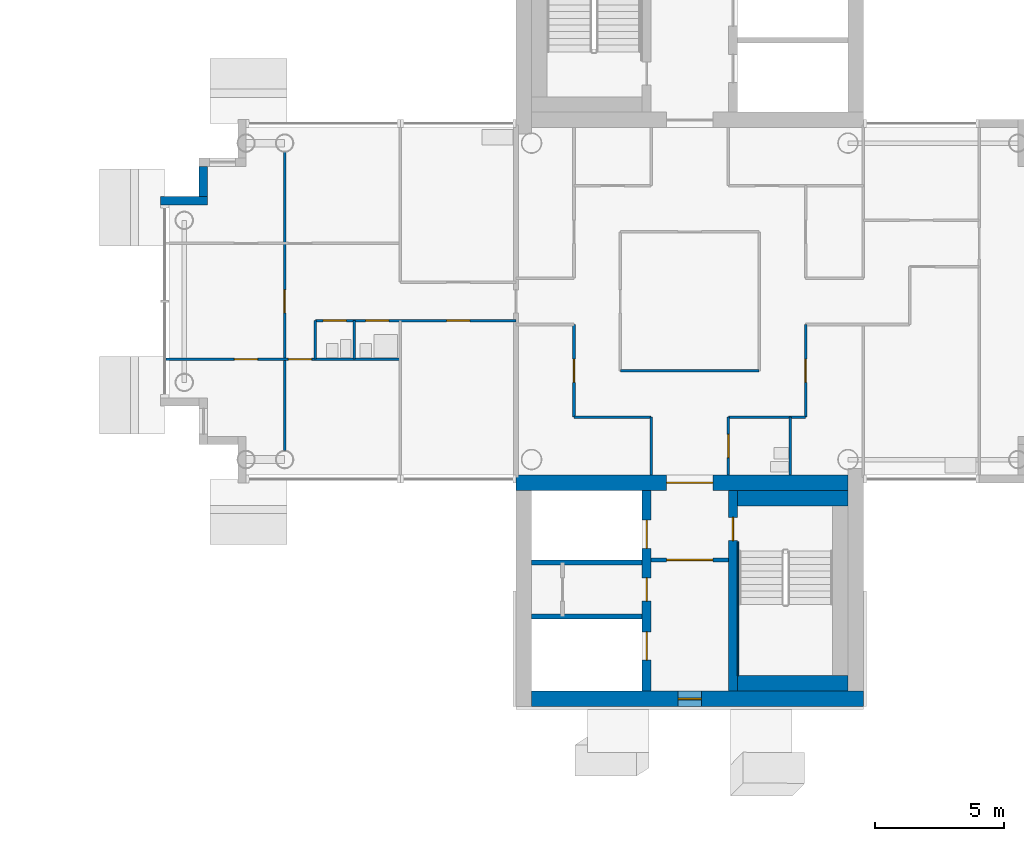
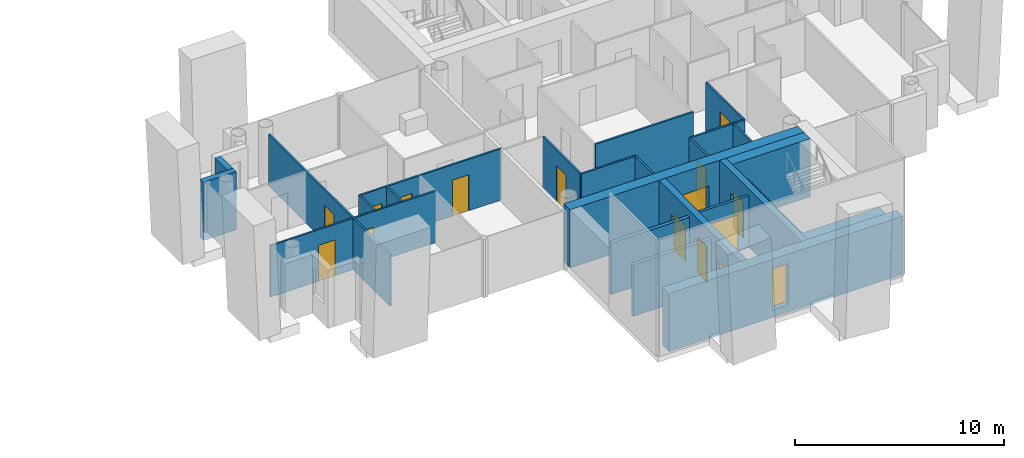
# One storey, part 9 of 18: 25 walls, 15 doors, 1 window, 16 openings.
"""IFC4 building model written with IfcOpenShell, lengths in metres."""

from ifc_helpers import new_model, si_unit, direction, frame, frame_2d, origin, place, context, subcontext, project, spatial, rectangle, extrude, material, layer, layer_set, type_object, element, fill, save


model = new_model("IFC4")

# Units and contexts
model_context = context("Model", 3, precision=1e-05, world=origin(), true_north=direction((0.0, 1.0)))
body_context = subcontext(model_context, "Body", "Model", "MODEL_VIEW")
ifc_project = project(units=[si_unit("LENGTHUNIT", "METRE"), si_unit("AREAUNIT", "SQUARE_METRE"), si_unit("VOLUMEUNIT", "CUBIC_METRE"), si_unit("PLANEANGLEUNIT", "RADIAN"), si_unit("MASSUNIT", "GRAM", prefix="KILO")], contexts=[model_context])

# Site, building, storey
site_placement = place(None, origin())
site = spatial("IfcSite", under=ifc_project, at=site_placement, CompositionType="ELEMENT")
building_placement = place(site_placement, origin())
building = spatial("IfcBuilding", under=site, at=building_placement, Name="Ipe Terrace Towers", CompositionType="ELEMENT")
storey_placement = place(building_placement, frame((0.0, 0.0, 223.199951171875)))
storey = spatial("IfcBuildingStorey", under=building, at=storey_placement, Name="L62", CompositionType="ELEMENT", Elevation=223.199951171875)

# Walls
ifc_material_1 = material(Name="Concrete C40/50 with buff precast cladding", Category="concrete")
ifc_layer_1 = layer(ifc_material_1, 0.320068359375)
ifc_layer_set_1 = layer_set([ifc_layer_1], Name="BUFF CLADDING WALL 320")
wall_type_1 = type_object("IfcWallType", Name="BUFF CLADDING WALL 320", PredefinedType="STANDARD", material=ifc_layer_set_1)
wall_1_placement = place(storey_placement, frame((17.090087890625, 5.25, -0.300048828125), z_axis=(0.0, 0.0, 1.0), x_axis=(0.0, -1.0, 0.0)))
element("IfcWall", 1, at=wall_1_placement, inside=storey, type_object=wall_type_1, Name="T2-W-L62-24a wall", PredefinedType="STANDARD", context=body_context, shape_type="SweptSolid", body=[
    extrude(rectangle(XDim=1.179931640625, YDim=0.320068359375, at=frame_2d((0.58984375, 0.0))), origin(), (0.0, 0.0, 1.0), 3.400146484375),
])
wall_2_placement = place(storey_placement, frame((17.25, 3.909912109375, -0.300048828125), z_axis=(0.0, 0.0, 1.0), x_axis=(-1.0, 0.0, 0.0)))
element("IfcWall", 2, at=wall_2_placement, inside=storey, type_object=wall_type_1, Name="T2-W-L62-25a wall", PredefinedType="STANDARD", context=body_context, shape_type="SweptSolid", body=[
    extrude(rectangle(XDim=1.820068359375, YDim=0.320068359375, at=frame_2d((0.91015625, 0.0))), origin(), (0.0, 0.0, 1.0), 3.400146484375),
])
ifc_material_2 = material(Name="Gypsum board partition", Category="plasterboard")
ifc_layer_2 = layer(ifc_material_2, 0.10009765625)
ifc_layer_set_2 = layer_set([ifc_layer_2], Name="Gypsum board partition 100 mm")
wall_type_2 = type_object("IfcWallType", Name="Gypsum board partition 100 mm", PredefinedType="PARTITIONING", material=ifc_layer_set_2)
for number, where, z_axis, x_axis, name in (
    (3, (40.5, -4.5, 0.0), (0.0, 0.0, 1.0), (-1.0, 0.0, 0.0), "Gypsum board partition T2 L62 W01"),
    (4, (34.5, -4.5, 0.0), (0.0, 0.0, 1.0), (-1.0, 0.0, 0.0), "Gypsum board partition T2 L62 W02"),
):
    element("IfcWall", number, at=place(storey_placement, frame(where, z_axis=z_axis, x_axis=x_axis)), inside=storey, type_object=wall_type_2, Name=name, PredefinedType="PARTITIONING", context=body_context, shape_type="SweptSolid", body=[
        extrude(rectangle(XDim=3.0, YDim=0.10009765625, at=frame_2d((1.5, 0.0))), origin(), (0.0, 0.0, 1.0), 3.0),
    ])
wall_3_placement = place(storey_placement, frame((38.699951171875, -2.699951171875, 0.0), z_axis=(0.0, 0.0, 1.0), x_axis=(-1.0, 0.0, 0.0)))
element("IfcWall", 5, at=wall_3_placement, inside=storey, type_object=wall_type_2, Name="Gypsum board partition T2 L62 W03", PredefinedType="PARTITIONING", context=body_context, shape_type="SweptSolid", body=[
    extrude(rectangle(XDim=5.39990234375, YDim=0.10009765625, at=frame_2d((2.699951171875, 0.0))), origin(), (0.0, 0.0, 1.0), 3.0),
])

# Wall, openings, doors
wall_4_placement = place(storey_placement, frame((24.75, -2.25, 0.0), z_axis=(0.0, 0.0, 1.0), x_axis=(-1.0, 0.0, 0.0)))
wall_4 = element("IfcWall", 6, at=wall_4_placement, inside=storey, type_object=wall_type_2, Name="Gypsum board partition T2 L62 W04", PredefinedType="PARTITIONING", context=body_context, shape_type="SweptSolid", body=[
    extrude(rectangle(XDim=9.10009765625, YDim=0.10009765625, at=frame_2d((4.550048828125, 0.0))), origin(), (0.0, 0.0, 1.0), 3.0),
])
opening_1_placement = place(wall_4_placement, frame((3.449951171875, 0.0, 0.0)))
opening_1 = element("IfcOpeningElement", 7, at=opening_1_placement, cuts=wall_4, Name="Opening T2-Z4F-15", PredefinedType="OPENING", context=body_context, shape_type="SweptSolid", body=[
    extrude(rectangle(XDim=0.89990234375, YDim=2.10009765625, at=frame_2d((0.449951171875, 1.050048828125))), frame((0.0, 0.06005859375, 0.0), z_axis=(0.0, -1.0, 0.0), x_axis=(1.0, 0.0, 0.0)), (0.0, 0.0, 1.0), 0.1201171875),
])
opening_2_placement = place(wall_4_placement, frame((5.550048828125, 0.0, 0.0)))
opening_2 = element("IfcOpeningElement", 8, at=opening_2_placement, cuts=wall_4, Name="Opening T2-Z4F-18", PredefinedType="OPENING", context=body_context, shape_type="SweptSolid", body=[
    extrude(rectangle(XDim=0.89990234375, YDim=2.10009765625, at=frame_2d((0.449951171875, 1.050048828125))), frame((0.0, 0.06005859375, 0.0), z_axis=(0.0, -1.0, 0.0), x_axis=(1.0, 0.0, 0.0)), (0.0, 0.0, 1.0), 0.1201171875),
])
ifc_material_3 = material(Name="Timber door leaf", Category="wood")
door_type_1 = type_object("IfcDoorType", Name="Bedroom door 900 x 2100", OperationType="NOTDEFINED", PredefinedType="DOOR", material=ifc_material_3)
door_1_placement = place(opening_1_placement, origin())
door_1 = element("IfcDoor", 9, at=door_1_placement, inside=storey, type_object=door_type_1, Name="Bedroom door T2-Z4F-15", OperationType="SINGLE_SWING_RIGHT", OverallHeight=2.10009765625, OverallWidth=0.89990234375, PredefinedType="DOOR", context=body_context, shape_type="SweptSolid", body=[
    extrude(rectangle(XDim=0.89990234375, YDim=2.10009765625, at=frame_2d((0.449951171875, 1.050048828125))), frame((0.0, 0.02490234375, 0.0), z_axis=(0.0, -1.0, 0.0), x_axis=(1.0, 0.0, 0.0)), (0.0, 0.0, 1.0), 0.050048828125),
])
fill(opening_1, door_1)
door_2_placement = place(opening_2_placement, origin())
door_2 = element("IfcDoor", 10, at=door_2_placement, inside=storey, type_object=door_type_1, Name="Bedroom door T2-Z4F-18", OperationType="SINGLE_SWING_LEFT", OverallHeight=2.10009765625, OverallWidth=0.89990234375, PredefinedType="DOOR", context=body_context, shape_type="SweptSolid", body=[
    extrude(rectangle(XDim=0.89990234375, YDim=2.10009765625, at=frame_2d((0.449951171875, 1.050048828125))), frame((0.0, 0.02490234375, 0.0), z_axis=(0.0, -1.0, 0.0), x_axis=(1.0, 0.0, 0.0)), (0.0, 0.0, 1.0), 0.050048828125),
])
fill(opening_2, door_2)

wall_5_placement = place(storey_placement, frame((29.25, -0.75, 0.0), z_axis=(0.0, 0.0, 1.0), x_axis=(-1.0, 0.0, 0.0)))
wall_5 = element("IfcWall", 11, at=wall_5_placement, inside=storey, type_object=wall_type_2, Name="Gypsum board partition T2 L62 W07", PredefinedType="PARTITIONING", context=body_context, shape_type="SweptSolid", body=[
    extrude(rectangle(XDim=7.800048828125, YDim=0.10009765625, at=frame_2d((3.89990234375, 0.0))), origin(), (0.0, 0.0, 1.0), 3.0),
])
opening_3_placement = place(wall_5_placement, frame((1.800048828125, 0.0, 0.0)))
opening_3 = element("IfcOpeningElement", 12, at=opening_3_placement, cuts=wall_5, Name="Opening T2-Z4F-10", PredefinedType="OPENING", context=body_context, shape_type="SweptSolid", body=[
    extrude(rectangle(XDim=0.89990234375, YDim=2.10009765625, at=frame_2d((0.449951171875, 1.050048828125))), frame((0.0, 0.06005859375, 0.0), z_axis=(0.0, -1.0, 0.0), x_axis=(1.0, 0.0, 0.0)), (0.0, 0.0, 1.0), 0.1201171875),
])
opening_4_placement = place(wall_5_placement, frame((4.949951171875, 0.0, 0.0)))
opening_4 = element("IfcOpeningElement", 13, at=opening_4_placement, cuts=wall_5, Name="Opening T2-Z4F-13", PredefinedType="OPENING", context=body_context, shape_type="SweptSolid", body=[
    extrude(rectangle(XDim=0.89990234375, YDim=2.10009765625, at=frame_2d((0.449951171875, 1.050048828125))), frame((0.0, 0.06005859375, 0.0), z_axis=(0.0, -1.0, 0.0), x_axis=(1.0, 0.0, 0.0)), (0.0, 0.0, 1.0), 0.1201171875),
])
opening_5_placement = place(wall_5_placement, frame((6.60009765625, 0.0, 0.0)))
opening_5 = element("IfcOpeningElement", 14, at=opening_5_placement, cuts=wall_5, Name="Opening T2-Z4F-14", PredefinedType="OPENING", context=body_context, shape_type="SweptSolid", body=[
    extrude(rectangle(XDim=0.89990234375, YDim=2.10009765625, at=frame_2d((0.449951171875, 1.050048828125))), frame((0.0, 0.06005859375, 0.0), z_axis=(0.0, -1.0, 0.0), x_axis=(1.0, 0.0, 0.0)), (0.0, 0.0, 1.0), 0.1201171875),
])
ifc_material_4 = material(Name="Timber door leaf", Category="wood")
door_type_2 = type_object("IfcDoorType", Name="Bathroom door 900 x 2100", OperationType="NOTDEFINED", PredefinedType="DOOR", material=ifc_material_4)
door_3_placement = place(opening_4_placement, origin())
door_3 = element("IfcDoor", 15, at=door_3_placement, inside=storey, type_object=door_type_2, Name="Bathroom door T2-Z4F-13", OperationType="SINGLE_SWING_LEFT", OverallHeight=2.10009765625, OverallWidth=0.89990234375, PredefinedType="DOOR", context=body_context, shape_type="SweptSolid", body=[
    extrude(rectangle(XDim=0.89990234375, YDim=2.10009765625, at=frame_2d((0.449951171875, 1.050048828125))), frame((0.0, 0.02490234375, 0.0), z_axis=(0.0, -1.0, 0.0), x_axis=(1.0, 0.0, 0.0)), (0.0, 0.0, 1.0), 0.050048828125),
])
fill(opening_4, door_3)
door_4_placement = place(opening_5_placement, origin())
door_4 = element("IfcDoor", 16, at=door_4_placement, inside=storey, type_object=door_type_2, Name="Bathroom door T2-Z4F-14", OperationType="SINGLE_SWING_LEFT", OverallHeight=2.10009765625, OverallWidth=0.89990234375, PredefinedType="DOOR", context=body_context, shape_type="SweptSolid", body=[
    extrude(rectangle(XDim=0.89990234375, YDim=2.10009765625, at=frame_2d((0.449951171875, 1.050048828125))), frame((0.0, 0.02490234375, 0.0), z_axis=(0.0, -1.0, 0.0), x_axis=(1.0, 0.0, 0.0)), (0.0, 0.0, 1.0), 0.050048828125),
])
fill(opening_5, door_4)
ifc_material_5 = material(Name="Timber door leaf", Category="wood")
door_type_3 = type_object("IfcDoorType", Name="Lounge door 900 x 2100", OperationType="NOTDEFINED", PredefinedType="DOOR", material=ifc_material_5)
door_5_placement = place(opening_3_placement, origin())
door_5 = element("IfcDoor", 17, at=door_5_placement, inside=storey, type_object=door_type_3, Name="Lounge door T2-Z4F-10", OperationType="SINGLE_SWING_RIGHT", OverallHeight=2.10009765625, OverallWidth=0.89990234375, PredefinedType="DOOR", context=body_context, shape_type="SweptSolid", body=[
    extrude(rectangle(XDim=0.89990234375, YDim=2.10009765625, at=frame_2d((0.449951171875, 1.050048828125))), frame((0.0, 0.02490234375, 0.0), z_axis=(0.0, -1.0, 0.0), x_axis=(1.0, 0.0, 0.0)), (0.0, 0.0, 1.0), 0.050048828125),
])
fill(opening_3, door_5)

# Wall, opening, door
wall_6_placement = place(storey_placement, frame((40.5, -4.5, 0.0), z_axis=(0.0, 0.0, 1.0), x_axis=(0.0, 1.0, 0.0)))
wall_6 = element("IfcWall", 18, at=wall_6_placement, inside=storey, type_object=wall_type_2, Name="Gypsum board partition T2 L62 W21", PredefinedType="PARTITIONING", context=body_context, shape_type="SweptSolid", body=[
    extrude(rectangle(XDim=3.60009765625, YDim=0.10009765625, at=frame_2d((1.800048828125, 0.0))), origin(), (0.0, 0.0, 1.0), 3.0),
])
opening_6_placement = place(wall_6_placement, frame((1.35009765625, 0.0, 0.0)))
opening_6 = element("IfcOpeningElement", 19, at=opening_6_placement, cuts=wall_6, Name="Opening T2-Z4F-07", PredefinedType="OPENING", context=body_context, shape_type="SweptSolid", body=[
    extrude(rectangle(XDim=0.89990234375, YDim=2.10009765625, at=frame_2d((0.449951171875, 1.050048828125))), frame((0.0, 0.06005859375, 0.0), z_axis=(0.0, -1.0, 0.0), x_axis=(1.0, 0.0, 0.0)), (0.0, 0.0, 1.0), 0.1201171875),
])
door_6_placement = place(opening_6_placement, origin())
door_6 = element("IfcDoor", 20, at=door_6_placement, inside=storey, type_object=door_type_3, Name="Lounge door T2-Z4F-07", OperationType="SINGLE_SWING_LEFT", OverallHeight=2.10009765625, OverallWidth=0.89990234375, PredefinedType="DOOR", context=body_context, shape_type="SweptSolid", body=[
    extrude(rectangle(XDim=0.89990234375, YDim=2.10009765625, at=frame_2d((0.449951171875, 1.050048828125))), frame((0.0, 0.02490234375, 0.0), z_axis=(0.0, -1.0, 0.0), x_axis=(1.0, 0.0, 0.0)), (0.0, 0.0, 1.0), 0.050048828125),
])
fill(opening_6, door_6)

# Wall
wall_7_placement = place(storey_placement, frame((39.89990234375, -6.75, 0.0), z_axis=(0.0, 0.0, 1.0), x_axis=(0.0, 1.0, 0.0)))
element("IfcWall", 21, at=wall_7_placement, inside=storey, type_object=wall_type_2, Name="Gypsum board partition T2 L62 W23", PredefinedType="PARTITIONING", context=body_context, shape_type="SweptSolid", body=[
    extrude(rectangle(XDim=2.25, YDim=0.10009765625, at=frame_2d((1.125, 0.0))), origin(), (0.0, 0.0, 1.0), 3.0),
])

# Wall, opening, door
wall_8_placement = place(storey_placement, frame((37.5, -6.75, 0.0), z_axis=(0.0, 0.0, 1.0), x_axis=(0.0, 1.0, 0.0)))
wall_8 = element("IfcWall", 22, at=wall_8_placement, inside=storey, type_object=wall_type_2, Name="Gypsum board partition T2 L62 W25", PredefinedType="PARTITIONING", context=body_context, shape_type="SweptSolid", body=[
    extrude(rectangle(XDim=2.25, YDim=0.10009765625, at=frame_2d((1.125, 0.0))), origin(), (0.0, 0.0, 1.0), 3.0),
])
opening_7_placement = place(wall_8_placement, frame((0.675048828125, 0.0, 0.0)))
opening_7 = element("IfcOpeningElement", 23, at=opening_7_placement, cuts=wall_8, Name="Opening T2-Z4F-03", PredefinedType="OPENING", context=body_context, shape_type="SweptSolid", body=[
    extrude(rectangle(XDim=0.89990234375, YDim=2.10009765625, at=frame_2d((0.449951171875, 1.050048828125))), frame((0.0, 0.06005859375, 0.0), z_axis=(0.0, -1.0, 0.0), x_axis=(1.0, 0.0, 0.0)), (0.0, 0.0, 1.0), 0.1201171875),
])
door_7_placement = place(opening_7_placement, origin())
door_7 = element("IfcDoor", 24, at=door_7_placement, inside=storey, type_object=door_type_2, Name="Bathroom door T2-Z4F-03", OperationType="SINGLE_SWING_RIGHT", OverallHeight=2.10009765625, OverallWidth=0.89990234375, PredefinedType="DOOR", context=body_context, shape_type="SweptSolid", body=[
    extrude(rectangle(XDim=0.89990234375, YDim=2.10009765625, at=frame_2d((0.449951171875, 1.050048828125))), frame((0.0, 0.02490234375, 0.0), z_axis=(0.0, -1.0, 0.0), x_axis=(1.0, 0.0, 0.0)), (0.0, 0.0, 1.0), 0.050048828125),
])
fill(opening_7, door_7)

# Wall
wall_9_placement = place(storey_placement, frame((34.5, -6.75, 0.0), z_axis=(0.0, 0.0, 1.0), x_axis=(0.0, 1.0, 0.0)))
element("IfcWall", 25, at=wall_9_placement, inside=storey, type_object=wall_type_2, Name="Gypsum board partition T2 L62 W27", PredefinedType="PARTITIONING", context=body_context, shape_type="SweptSolid", body=[
    extrude(rectangle(XDim=2.25, YDim=0.10009765625, at=frame_2d((1.125, 0.0))), origin(), (0.0, 0.0, 1.0), 3.0),
])

# Wall, opening, door
wall_10_placement = place(storey_placement, frame((31.5, -4.5, 0.0), z_axis=(0.0, 0.0, 1.0), x_axis=(0.0, 1.0, 0.0)))
wall_10 = element("IfcWall", 26, at=wall_10_placement, inside=storey, type_object=wall_type_2, Name="Gypsum board partition T2 L62 W30", PredefinedType="PARTITIONING", context=body_context, shape_type="SweptSolid", body=[
    extrude(rectangle(XDim=3.60009765625, YDim=0.10009765625, at=frame_2d((1.800048828125, 0.0))), origin(), (0.0, 0.0, 1.0), 3.0),
])
opening_8_placement = place(wall_10_placement, frame((1.35009765625, 0.0, 0.0)))
opening_8 = element("IfcOpeningElement", 27, at=opening_8_placement, cuts=wall_10, Name="Opening T2-Z4F-06", PredefinedType="OPENING", context=body_context, shape_type="SweptSolid", body=[
    extrude(rectangle(XDim=0.89990234375, YDim=2.10009765625, at=frame_2d((0.449951171875, 1.050048828125))), frame((0.0, 0.06005859375, 0.0), z_axis=(0.0, -1.0, 0.0), x_axis=(1.0, 0.0, 0.0)), (0.0, 0.0, 1.0), 0.1201171875),
])
door_8_placement = place(opening_8_placement, origin())
door_8 = element("IfcDoor", 28, at=door_8_placement, inside=storey, type_object=door_type_3, Name="Lounge door T2-Z4F-06", OperationType="SINGLE_SWING_LEFT", OverallHeight=2.10009765625, OverallWidth=0.89990234375, PredefinedType="DOOR", context=body_context, shape_type="SweptSolid", body=[
    extrude(rectangle(XDim=0.89990234375, YDim=2.10009765625, at=frame_2d((0.449951171875, 1.050048828125))), frame((0.0, 0.02490234375, 0.0), z_axis=(0.0, -1.0, 0.0), x_axis=(1.0, 0.0, 0.0)), (0.0, 0.0, 1.0), 0.050048828125),
])
fill(opening_8, door_8)

# Walls
for number, where, z_axis, x_axis, name in (
    (29, (22.949951171875, -2.25, 0.0), (0.0, 0.0, 1.0), (0.0, 1.0, 0.0), "Gypsum board partition T2 L62 W35"),
    (30, (21.449951171875, -2.25, 0.0), (0.0, 0.0, 1.0), (0.0, 1.0, 0.0), "Gypsum board partition T2 L62 W36"),
):
    element("IfcWall", number, at=place(storey_placement, frame(where, z_axis=z_axis, x_axis=x_axis)), inside=storey, type_object=wall_type_2, Name=name, PredefinedType="PARTITIONING", context=body_context, shape_type="SweptSolid", body=[
        extrude(rectangle(XDim=1.5, YDim=0.10009765625, at=frame_2d((0.75, 0.0))), origin(), (0.0, 0.0, 1.0), 3.0),
    ])

# Wall, opening, door
wall_11_placement = place(storey_placement, frame((20.25, -5.800048828125, 0.0), z_axis=(0.0, 0.0, 1.0), x_axis=(0.0, 1.0, 0.0)))
wall_11 = element("IfcWall", 31, at=wall_11_placement, inside=storey, type_object=wall_type_2, Name="Gypsum board partition T2 L62 W37", PredefinedType="PARTITIONING", context=body_context, shape_type="SweptSolid", body=[
    extrude(rectangle(XDim=11.60009765625, YDim=0.10009765625, at=frame_2d((5.800048828125, 0.0))), origin(), (0.0, 0.0, 1.0), 3.0),
])
opening_9_placement = place(wall_11_placement, frame((5.35009765625, 0.0, 0.0)))
opening_9 = element("IfcOpeningElement", 32, at=opening_9_placement, cuts=wall_11, Name="Opening T2-Z4F-17", PredefinedType="OPENING", context=body_context, shape_type="SweptSolid", body=[
    extrude(rectangle(XDim=0.89990234375, YDim=2.10009765625, at=frame_2d((0.449951171875, 1.050048828125))), frame((0.0, 0.06005859375, 0.0), z_axis=(0.0, -1.0, 0.0), x_axis=(1.0, 0.0, 0.0)), (0.0, 0.0, 1.0), 0.1201171875),
])
door_9_placement = place(opening_9_placement, origin())
door_9 = element("IfcDoor", 33, at=door_9_placement, inside=storey, type_object=door_type_3, Name="Lounge door T2-Z4F-17", OperationType="SINGLE_SWING_LEFT", OverallHeight=2.10009765625, OverallWidth=0.89990234375, PredefinedType="DOOR", context=body_context, shape_type="SweptSolid", body=[
    extrude(rectangle(XDim=0.89990234375, YDim=2.10009765625, at=frame_2d((0.449951171875, 1.050048828125))), frame((0.0, 0.02490234375, 0.0), z_axis=(0.0, -1.0, 0.0), x_axis=(1.0, 0.0, 0.0)), (0.0, 0.0, 1.0), 0.050048828125),
])
fill(opening_9, door_9)

ifc_material_6 = material(Name="Gypsum board partition", Category="plasterboard")
ifc_layer_3 = layer(ifc_material_6, 0.14990234375)
ifc_layer_set_3 = layer_set([ifc_layer_3], Name="Gypsum board partition 150 mm")
wall_type_3 = type_object("IfcWallType", Name="Gypsum board partition 150 mm", PredefinedType="PARTITIONING", material=ifc_layer_set_3)
wall_12_placement = place(storey_placement, frame((34.5, -10.050048828125, 0.0), z_axis=(0.0, 0.0, 1.0), x_axis=(1.0, 0.0, 0.0)))
wall_12 = element("IfcWall", 34, at=wall_12_placement, inside=storey, type_object=wall_type_3, Name="Gypsum board partition T2 L62 t2c2-lobby-wall", PredefinedType="PARTITIONING", context=body_context, shape_type="SweptSolid", body=[
    extrude(rectangle(XDim=3.0, YDim=0.14990234375, at=frame_2d((1.5, 0.0))), origin(), (0.0, 0.0, 1.0), 3.0),
])
opening_10_placement = place(wall_12_placement, frame((0.60009765625, 0.0, 0.0)))
opening_10 = element("IfcOpeningElement", 35, at=opening_10_placement, cuts=wall_12, Name="Opening T2C2-VD", PredefinedType="OPENING", context=body_context, shape_type="SweptSolid", body=[
    extrude(rectangle(XDim=1.800048828125, YDim=2.10009765625, at=frame_2d((0.89990234375, 1.050048828125))), frame((0.0, 0.0849609375, 0.0), z_axis=(0.0, -1.0, 0.0), x_axis=(1.0, 0.0, 0.0)), (0.0, 0.0, 1.0), 0.169921875),
])
ifc_material_7 = material(Name="Fire-rated timber door leaf", Category="wood")
door_type_4 = type_object("IfcDoorType", Name="Lobby door 1800 x 2100 FD60", OperationType="NOTDEFINED", PredefinedType="DOOR", material=ifc_material_7)
door_10_placement = place(opening_10_placement, origin())
door_10 = element("IfcDoor", 36, at=door_10_placement, inside=storey, type_object=door_type_4, Name="Lobby door T2C2-VD", OperationType="SINGLE_SWING_LEFT", OverallHeight=2.10009765625, OverallWidth=1.800048828125, PredefinedType="DOOR", context=body_context, shape_type="SweptSolid", body=[
    extrude(rectangle(XDim=1.800048828125, YDim=2.10009765625, at=frame_2d((0.89990234375, 1.050048828125))), frame((0.0, 0.02490234375, 0.0), z_axis=(0.0, -1.0, 0.0), x_axis=(1.0, 0.0, 0.0)), (0.0, 0.0, 1.0), 0.050048828125),
])
fill(opening_10, door_10)

# Walls
ifc_material_8 = material(Name="Gypsum board party wall", Category="plasterboard")
ifc_layer_4 = layer(ifc_material_8, 0.199951171875)
ifc_layer_set_4 = layer_set([ifc_layer_4], Name="Gypsum board party wall 200 mm")
wall_type_4 = type_object("IfcWallType", Name="Gypsum board party wall 200 mm", PredefinedType="SOLIDWALL", material=ifc_layer_set_4)
for number, where, z_axis, x_axis, name in (
    (37, (29.85009765625, -12.25, 0.0), (0.0, 0.0, 1.0), (1.0, 0.0, 0.0), "Gypsum board party wall T2 L62 t2c2-shaft-div2"),
    (38, (29.85009765625, -10.14990234375, 0.0), (0.0, 0.0, 1.0), (1.0, 0.0, 0.0), "Gypsum board party wall T2 L62 t2c2-shaft-div1"),
):
    element("IfcWall", number, at=place(storey_placement, frame(where, z_axis=z_axis, x_axis=x_axis)), inside=storey, type_object=wall_type_4, Name=name, PredefinedType="SOLIDWALL", context=body_context, shape_type="SweptSolid", body=[
        extrude(rectangle(XDim=4.2998046875, YDim=0.199951171875, at=frame_2d((2.14990234375, 0.0))), origin(), (0.0, 0.0, 1.0), 3.0),
    ])

# Wall, openings, doors
ifc_material_9 = material(Name="Concrete C40/50", Category="concrete")
ifc_layer_5 = layer(ifc_material_9, 0.35009765625)
ifc_layer_set_5 = layer_set([ifc_layer_5], Name="RW350 CORE SPINE WALL 350 C40-50")
wall_type_5 = type_object("IfcWallType", Name="RW350 CORE SPINE WALL 350 C40-50", PredefinedType="SHEAR", material=ifc_layer_set_5)
wall_13_placement = place(storey_placement, frame((34.324951171875, -15.14990234375, 0.0), z_axis=(0.0, 0.0, 1.0), x_axis=(0.0, 1.0, 0.0)))
wall_13 = element("IfcWall", 39, at=wall_13_placement, inside=storey, type_object=wall_type_5, Name="Core spine wall T2-C2-Z4-SW1", PredefinedType="SHEAR", context=body_context, shape_type="SweptSolid", body=[
    extrude(rectangle(XDim=7.7998046875, YDim=0.35009765625, at=frame_2d((3.89990234375, 0.0))), origin(), (0.0, 0.0, 1.0), 3.400146484375),
])
opening_11_placement = place(wall_13_placement, frame((5.550048828125, 0.0, 0.0)))
opening_11 = element("IfcOpeningElement", 40, at=opening_11_placement, cuts=wall_13, Name="Opening T2C2-LD1", PredefinedType="OPENING", context=body_context, shape_type="SweptSolid", body=[
    extrude(rectangle(XDim=1.10009765625, YDim=2.10009765625, at=frame_2d((0.550048828125, 1.050048828125))), frame((0.0, 0.18505859375, 0.0), z_axis=(0.0, -1.0, 0.0), x_axis=(1.0, 0.0, 0.0)), (0.0, 0.0, 1.0), 0.3701171875),
])
opening_12_placement = place(wall_13_placement, frame((1.199951171875, 0.0, 0.0)))
opening_12 = element("IfcOpeningElement", 41, at=opening_12_placement, cuts=wall_13, Name="Opening T2C2-LD3", PredefinedType="OPENING", context=body_context, shape_type="SweptSolid", body=[
    extrude(rectangle(XDim=1.10009765625, YDim=2.10009765625, at=frame_2d((0.550048828125, 1.050048828125))), frame((0.0, 0.18505859375, 0.0), z_axis=(0.0, -1.0, 0.0), x_axis=(1.0, 0.0, 0.0)), (0.0, 0.0, 1.0), 0.3701171875),
])
opening_13_placement = place(wall_13_placement, frame((3.5, 0.0, 0.0)))
opening_13 = element("IfcOpeningElement", 42, at=opening_13_placement, cuts=wall_13, Name="Opening T2C2-R1-FD30S", PredefinedType="OPENING", context=body_context, shape_type="SweptSolid", body=[
    extrude(rectangle(XDim=0.89990234375, YDim=2.10009765625, at=frame_2d((0.449951171875, 1.050048828125))), frame((0.0, 0.18505859375, 0.0), z_axis=(0.0, -1.0, 0.0), x_axis=(1.0, 0.0, 0.0)), (0.0, 0.0, 1.0), 0.3701171875),
])
ifc_material_10 = material(Name="Fire-rated timber door leaf", Category="wood")
door_type_5 = type_object("IfcDoorType", Name="Sliding door 1100 x 2100 FD60", OperationType="SLIDING_TO_LEFT", PredefinedType="DOOR", material=ifc_material_10)
door_11_placement = place(opening_11_placement, origin())
door_11 = element("IfcDoor", 43, at=door_11_placement, inside=storey, type_object=door_type_5, Name="Sliding door T2C2-LD1", OperationType="SLIDING_TO_LEFT", OverallHeight=2.10009765625, OverallWidth=1.10009765625, PredefinedType="DOOR", context=body_context, shape_type="SweptSolid", body=[
    extrude(rectangle(XDim=1.10009765625, YDim=2.10009765625, at=frame_2d((0.550048828125, 1.050048828125))), frame((0.0, 0.02490234375, 0.0), z_axis=(0.0, -1.0, 0.0), x_axis=(1.0, 0.0, 0.0)), (0.0, 0.0, 1.0), 0.050048828125),
])
fill(opening_11, door_11)
door_12_placement = place(opening_12_placement, origin())
door_12 = element("IfcDoor", 44, at=door_12_placement, inside=storey, type_object=door_type_5, Name="Sliding door T2C2-LD3", OperationType="SLIDING_TO_LEFT", OverallHeight=2.10009765625, OverallWidth=1.10009765625, PredefinedType="DOOR", context=body_context, shape_type="SweptSolid", body=[
    extrude(rectangle(XDim=1.10009765625, YDim=2.10009765625, at=frame_2d((0.550048828125, 1.050048828125))), frame((0.0, 0.02490234375, 0.0), z_axis=(0.0, -1.0, 0.0), x_axis=(1.0, 0.0, 0.0)), (0.0, 0.0, 1.0), 0.050048828125),
])
fill(opening_12, door_12)
ifc_material_11 = material(Name="Fire-rated timber door leaf", Category="wood")
door_type_6 = type_object("IfcDoorType", Name="Store door 900 x 2100 FD30S", OperationType="NOTDEFINED", PredefinedType="DOOR", material=ifc_material_11)
door_13_placement = place(opening_13_placement, origin())
door_13 = element("IfcDoor", 45, at=door_13_placement, inside=storey, type_object=door_type_6, Name="Store door T2C2-R1-FD30S", OperationType="SINGLE_SWING_LEFT", OverallHeight=2.10009765625, OverallWidth=0.89990234375, PredefinedType="DOOR", context=body_context, shape_type="SweptSolid", body=[
    extrude(rectangle(XDim=0.89990234375, YDim=2.10009765625, at=frame_2d((0.449951171875, 1.050048828125))), frame((0.0, 0.02490234375, 0.0), z_axis=(0.0, -1.0, 0.0), x_axis=(1.0, 0.0, 0.0)), (0.0, 0.0, 1.0), 0.050048828125),
])
fill(opening_13, door_13)

# Wall, opening, door
wall_14_placement = place(storey_placement, frame((37.675048828125, -15.14990234375, 0.0), z_axis=(0.0, 0.0, 1.0), x_axis=(0.0, 1.0, 0.0)))
wall_14 = element("IfcWall", 46, at=wall_14_placement, inside=storey, type_object=wall_type_5, Name="Core spine wall T2-C2-Z4-SW2", PredefinedType="SHEAR", context=body_context, shape_type="SweptSolid", body=[
    extrude(rectangle(XDim=7.7998046875, YDim=0.35009765625, at=frame_2d((3.89990234375, 0.0))), origin(), (0.0, 0.0, 1.0), 3.400146484375),
])
opening_14_placement = place(wall_14_placement, frame((5.85009765625, 0.0, 0.0)))
opening_14 = element("IfcOpeningElement", 47, at=opening_14_placement, cuts=wall_14, Name="Opening T2C2-SD", PredefinedType="OPENING", context=body_context, shape_type="SweptSolid", body=[
    extrude(rectangle(XDim=0.89990234375, YDim=2.10009765625, at=frame_2d((0.449951171875, 1.050048828125))), frame((0.0, 0.18505859375, 0.0), z_axis=(0.0, -1.0, 0.0), x_axis=(1.0, 0.0, 0.0)), (0.0, 0.0, 1.0), 0.3701171875),
])
ifc_material_12 = material(Name="Fire-rated timber door leaf", Category="wood")
door_type_7 = type_object("IfcDoorType", Name="Stair door 900 x 2100 FD60", OperationType="NOTDEFINED", PredefinedType="DOOR", material=ifc_material_12)
door_14_placement = place(opening_14_placement, origin())
door_14 = element("IfcDoor", 48, at=door_14_placement, inside=storey, type_object=door_type_7, Name="Stair door T2C2-SD", OperationType="SINGLE_SWING_RIGHT", OverallHeight=2.10009765625, OverallWidth=0.89990234375, PredefinedType="DOOR", context=body_context, shape_type="SweptSolid", body=[
    extrude(rectangle(XDim=0.89990234375, YDim=2.10009765625, at=frame_2d((0.449951171875, 1.050048828125))), frame((0.0, 0.02490234375, 0.0), z_axis=(0.0, -1.0, 0.0), x_axis=(1.0, 0.0, 0.0)), (0.0, 0.0, 1.0), 0.050048828125),
])
fill(opening_14, door_14)

# Walls
ifc_material_13 = material(Name="Concrete C40/50", Category="concrete")
ifc_layer_6 = layer(ifc_material_13, 0.050048828125)
ifc_layer_set_6 = layer_set([ifc_layer_6], Name="RW50 CORE INFILL WALL 50 C40-50")
wall_type_6 = type_object("IfcWallType", Name="RW50 CORE INFILL WALL 50 C40-50", PredefinedType="SHEAR", material=ifc_layer_set_6)
wall_15_placement = place(storey_placement, frame((37.875, -9.35009765625, 0.0), z_axis=(0.0, 0.0, 1.0), x_axis=(0.0, -1.0, 0.0)))
element("IfcWall", 49, at=wall_15_placement, inside=storey, type_object=wall_type_6, Name="Core infill wall T2-C2-spine-b", PredefinedType="SHEAR", context=body_context, shape_type="SweptSolid", body=[
    extrude(rectangle(XDim=5.199951171875, YDim=0.050048828125, at=frame_2d((2.60009765625, 0.0))), origin(), (0.0, 0.0, 1.0), 3.400146484375),
])
ifc_material_14 = material(Name="Concrete C40/50", Category="concrete")
ifc_layer_7 = layer(ifc_material_14, 0.60009765625)
ifc_layer_set_7 = layer_set([ifc_layer_7], Name="RW600 CORE INFILL WALL 600 C40-50")
wall_type_7 = type_object("IfcWallType", Name="RW600 CORE INFILL WALL 600 C40-50", PredefinedType="SHEAR", material=ifc_layer_set_7)
for number, where, z_axis, x_axis, name in (
    (50, (37.85009765625, -14.85009765625, 0.0), (0.0, 0.0, 1.0), (1.0, 0.0, 0.0), "Core infill wall T2-C2-far"),
    (51, (37.85009765625, -7.64990234375, 0.0), (0.0, 0.0, 1.0), (1.0, 0.0, 0.0), "Core infill wall T2-C2-near"),
):
    element("IfcWall", number, at=place(storey_placement, frame(where, z_axis=z_axis, x_axis=x_axis)), inside=storey, type_object=wall_type_7, Name=name, PredefinedType="SHEAR", context=body_context, shape_type="SweptSolid", body=[
        extrude(rectangle(XDim=4.2998046875, YDim=0.60009765625, at=frame_2d((2.14990234375, 0.0))), origin(), (0.0, 0.0, 1.0), 3.400146484375),
    ])

# Wall, opening, window
ifc_material_15 = material(Name="Concrete C40/50", Category="concrete")
ifc_layer_8 = layer(ifc_material_15, 0.60009765625)
ifc_layer_set_8 = layer_set([ifc_layer_8], Name="RW600 CORE WALL 600 C40-50")
wall_type_8 = type_object("IfcWallType", Name="RW600 CORE WALL 600 C40-50", PredefinedType="SHEAR", material=ifc_layer_set_8)
wall_16_placement = place(storey_placement, frame((29.85009765625, -15.449951171875, 0.0), z_axis=(0.0, 0.0, 1.0), x_axis=(1.0, 0.0, 0.0)))
wall_16 = element("IfcWall", 52, at=wall_16_placement, inside=storey, type_object=wall_type_8, Name="Core wall T2-C2-Z4-W01", PredefinedType="SHEAR", context=body_context, shape_type="SweptSolid", body=[
    extrude(rectangle(XDim=12.89990234375, YDim=0.60009765625, at=frame_2d((6.449951171875, 0.0))), origin(), (0.0, 0.0, 1.0), 3.400146484375),
])
opening_15_placement = place(wall_16_placement, frame((5.699951171875, 0.0, 0.449951171875)))
opening_15 = element("IfcOpeningElement", 53, at=opening_15_placement, cuts=wall_16, Name="Opening T2-C2-W-01-L62", PredefinedType="OPENING", context=body_context, shape_type="SweptSolid", body=[
    extrude(rectangle(XDim=0.89990234375, YDim=2.39990234375, at=frame_2d((0.449951171875, 1.199951171875))), frame((0.0, 0.31005859375, 0.0), z_axis=(0.0, -1.0, 0.0), x_axis=(1.0, 0.0, 0.0)), (0.0, 0.0, 1.0), 0.6201171875),
])
ifc_material_16 = material(Name="Fire-resistant glazing EI 60", Category="glass")
window_type = type_object("IfcWindowType", Name="CORRIDOR END SLOT WINDOW 900 x 2400 EI 60", PartitioningType="SINGLE_PANEL", PredefinedType="WINDOW", material=ifc_material_16)
window_placement = place(opening_15_placement, origin())
window = element("IfcWindow", 54, at=window_placement, inside=storey, type_object=window_type, Name="W-01 window", OverallHeight=2.39990234375, OverallWidth=0.89990234375, PartitioningType="SINGLE_PANEL", PredefinedType="WINDOW", context=body_context, shape_type="SweptSolid", body=[
    extrude(rectangle(XDim=0.89990234375, YDim=2.39990234375, at=frame_2d((0.449951171875, 1.199951171875))), frame((0.0, 0.030029296875, 0.0), z_axis=(0.0, -1.0, 0.0), x_axis=(1.0, 0.0, 0.0)), (0.0, 0.0, 1.0), 0.06005859375),
])
fill(opening_15, window)

# Wall, opening, door
wall_17_placement = place(storey_placement, frame((42.14990234375, -7.050048828125, 0.0), z_axis=(0.0, 0.0, 1.0), x_axis=(-1.0, 0.0, 0.0)))
wall_17 = element("IfcWall", 55, at=wall_17_placement, inside=storey, type_object=wall_type_8, Name="Core wall T2-C2-Z4-W03", PredefinedType="SHEAR", context=body_context, shape_type="SweptSolid", body=[
    extrude(rectangle(XDim=12.89990234375, YDim=0.60009765625, at=frame_2d((6.449951171875, 0.0))), origin(), (0.0, 0.0, 1.0), 3.400146484375),
])
opening_16_placement = place(wall_17_placement, frame((5.25, 0.0, 0.0)))
opening_16 = element("IfcOpeningElement", 56, at=opening_16_placement, cuts=wall_17, Name="Opening T2C2-ND", PredefinedType="OPENING", context=body_context, shape_type="SweptSolid", body=[
    extrude(rectangle(XDim=1.800048828125, YDim=2.10009765625, at=frame_2d((0.89990234375, 1.050048828125))), frame((0.0, 0.31005859375, 0.0), z_axis=(0.0, -1.0, 0.0), x_axis=(1.0, 0.0, 0.0)), (0.0, 0.0, 1.0), 0.6201171875),
])
ifc_material_17 = material(Name="Fire-rated timber door leaf", Category="wood")
door_type_8 = type_object("IfcDoorType", Name="Fire door 1800 x 2100 FD30S", OperationType="NOTDEFINED", PredefinedType="DOOR", material=ifc_material_17)
door_15_placement = place(opening_16_placement, origin())
door_15 = element("IfcDoor", 57, at=door_15_placement, inside=storey, type_object=door_type_8, Name="Fire door T2C2-ND", OperationType="SINGLE_SWING_LEFT", OverallHeight=2.10009765625, OverallWidth=1.800048828125, PredefinedType="DOOR", context=body_context, shape_type="SweptSolid", body=[
    extrude(rectangle(XDim=1.800048828125, YDim=2.10009765625, at=frame_2d((0.89990234375, 1.050048828125))), frame((0.0, 0.02490234375, 0.0), z_axis=(0.0, -1.0, 0.0), x_axis=(1.0, 0.0, 0.0)), (0.0, 0.0, 1.0), 0.050048828125),
])
fill(opening_16, door_15)

save(model, "model.ifc")
